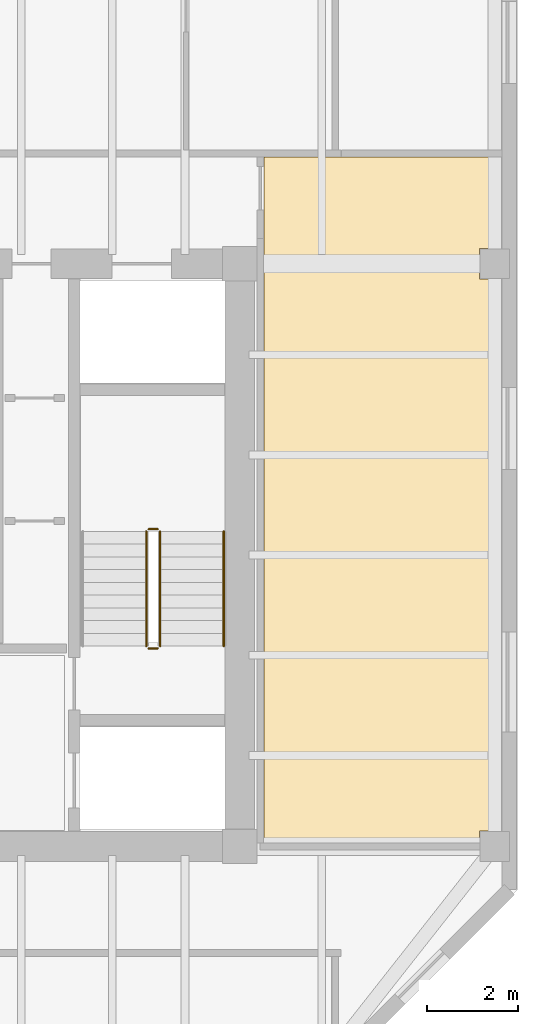
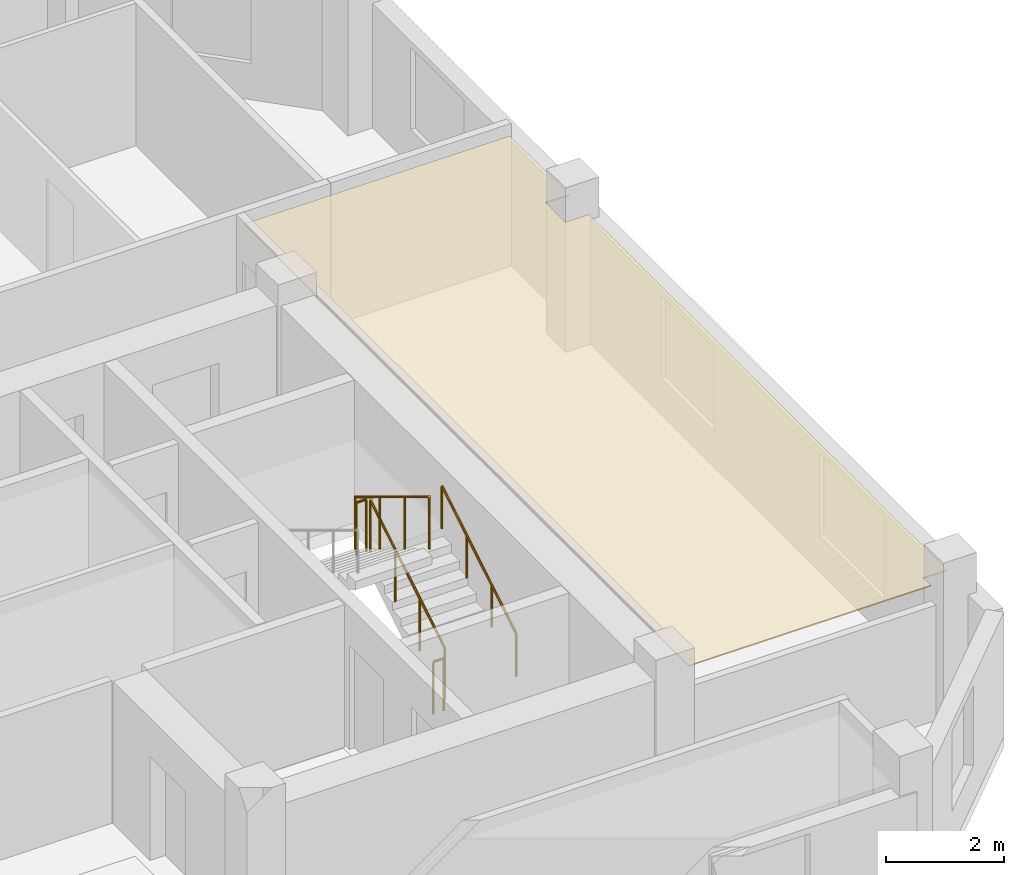
# One storey, part 9 of 10: 5 railings, 1 covering.
"""IFC4 building model written with IfcOpenShell, lengths in metres."""

from ifc_helpers import new_model, si_unit, direction, frame, origin, origin_2d, place, context, subcontext, project, spatial, polyline, circle, outline, extrude, material, layer, layer_set, type_object, element, save


model = new_model("IFC4")

# Units and contexts
model_context = context("Model", 3, precision=1e-05, world=origin(), true_north=direction((0.0, 1.0)))
body_context = subcontext(model_context, "Body", "Model", "MODEL_VIEW")
ifc_project = project(units=[si_unit("LENGTHUNIT", "METRE"), si_unit("AREAUNIT", "SQUARE_METRE"), si_unit("VOLUMEUNIT", "CUBIC_METRE"), si_unit("PLANEANGLEUNIT", "RADIAN"), si_unit("MASSUNIT", "GRAM", prefix="KILO")], contexts=[model_context])

# Site, building, storey
site_placement = place(None, origin())
site = spatial("IfcSite", under=ifc_project, at=site_placement, CompositionType="ELEMENT")
building_placement = place(site_placement, origin())
building = spatial("IfcBuilding", under=site, at=building_placement, Name="Kranthara Brick Stack", CompositionType="ELEMENT")
storey_placement = place(building_placement, frame((0.0, 0.0, 278.89990234375)))
storey = spatial("IfcBuildingStorey", under=building, at=storey_placement, Name="L74", CompositionType="ELEMENT", Elevation=278.89990234375)

# Covering
ifc_material_1 = material(Name="Perforated mineral-fibre acoustic ceiling tile", Category="other")
ifc_layer = layer(ifc_material_1, 0.02490234375)
ifc_layer_set = layer_set([ifc_layer], Name="Perforated mineral-fibre acoustic ceiling tile")
covering_type = type_object("IfcCoveringType", Name="COV-CEIL-ACOUSTIC", PredefinedType="CEILING", material=ifc_layer_set)
covering_placement = place(storey_placement, frame((0.0, 0.0, 2.68017578125)))
element("IfcCovering", 1, at=covering_placement, inside=storey, type_object=covering_type, Name="L74 L74 East Panoramic Sky Conservatory Acoustic Ceiling", PredefinedType="CEILING", context=body_context, shape_type="SweptSolid", body=[
    extrude(outline(polyline([(43.72998046875, 35.93994140625), (48.929931640625, 35.93994140625), (48.929931640625, 33.93505859375), (48.465087890625, 33.93505859375), (48.465087890625, 33.264892578125), (48.929931640625, 33.264892578125), (48.929931640625, 21.135009765625), (48.465087890625, 21.135009765625), (48.465087890625, 20.8798828125), (43.72998046875, 20.8798828125), (43.72998046875, 35.93994140625)])), origin(), (0.0, 0.0, 1.0), 0.02490234375),
])

# Railings
ifc_material_2 = material(Name="Painted galvanized steel stair guardrail", Category="steel")
railing_type_1 = type_object("IfcRailingType", Name="RL-STAIR-GUARD-1100", PredefinedType="GUARDRAIL", material=ifc_material_2)
railing_1_placement = place(storey_placement, frame((41.449951171875, 25.199951171875, 0.170166015625)))
element("IfcRailing", 2, at=railing_1_placement, inside=storey, type_object=railing_type_1, Name="L74 ST02 stair guard 1", PredefinedType="GUARDRAIL", context=body_context, shape_type="SweptSolid", body=[
    extrude(circle(Radius=0.02392578125, at=origin_2d()), frame((0.0, 0.0, 1.076171875), z_axis=(0.0, 0.85478489116, 0.518982456201), x_axis=(-1.0, 0.0, 0.0)), (0.0, 0.0, 1.0), 2.9482421875),
    extrude(circle(Radius=0.02099609375, at=origin_2d()), origin(), (0.0, 0.0, 1.0), 1.052001953125),
    extrude(circle(Radius=0.02099609375, at=origin_2d()), frame((0.0, 0.840087890625, 0.510009765625)), (0.0, 0.0, 1.0), 1.052001953125),
    extrude(circle(Radius=0.02099609375, at=origin_2d()), frame((0.0, 1.679931640625, 1.02001953125)), (0.0, 0.0, 1.0), 1.052001953125),
    extrude(circle(Radius=0.02099609375, at=origin_2d()), frame((0.0, 2.52001953125, 1.530029296875)), (0.0, 0.0, 1.0), 1.052001953125),
])
railing_2_placement = place(storey_placement, frame((41.39990234375, 27.77001953125, 1.7001953125)))
element("IfcRailing", 3, at=railing_2_placement, inside=storey, type_object=railing_type_1, Name="L74 ST02 stair guard 2", PredefinedType="GUARDRAIL", context=body_context, shape_type="SweptSolid", body=[
    extrude(circle(Radius=0.02392578125, at=origin_2d()), frame((0.0, 0.0, 1.076171875), z_axis=(-1.0, 0.0, 0.0), x_axis=(0.0, -1.0, 0.0)), (0.0, 0.0, 1.0), 0.199951171875),
    extrude(circle(Radius=0.02099609375, at=origin_2d()), origin(), (0.0, 0.0, 1.0), 1.052001953125),
    extrude(circle(Radius=0.02099609375, at=origin_2d()), frame((-0.199951171875, 0.0, 0.0)), (0.0, 0.0, 1.0), 1.052001953125),
])
railing_3_placement = place(storey_placement, frame((41.14990234375, 27.719970703125, 1.8701171875)))
element("IfcRailing", 4, at=railing_3_placement, inside=storey, type_object=railing_type_1, Name="L74 ST02 stair guard 3", PredefinedType="GUARDRAIL", context=body_context, shape_type="SweptSolid", body=[
    extrude(circle(Radius=0.02392578125, at=origin_2d()), frame((0.0, 0.0, 1.076171875), z_axis=(0.0, -0.85478489116, 0.518982456201), x_axis=(1.0, 0.0, 0.0)), (0.0, 0.0, 1.0), 2.9482421875),
    extrude(circle(Radius=0.02099609375, at=origin_2d()), origin(), (0.0, 0.0, 1.0), 1.052001953125),
    extrude(circle(Radius=0.02099609375, at=origin_2d()), frame((0.0, -0.840087890625, 0.510009765625)), (0.0, 0.0, 1.0), 1.052001953125),
    extrude(circle(Radius=0.02099609375, at=origin_2d()), frame((0.0, -1.679931640625, 1.02001953125)), (0.0, 0.0, 1.0), 1.052001953125),
    extrude(circle(Radius=0.02099609375, at=origin_2d()), frame((0.0, -2.52001953125, 1.530029296875)), (0.0, 0.0, 1.0), 1.052001953125),
])
railing_4_placement = place(storey_placement, frame((41.39990234375, 25.14990234375, 0.0)))
element("IfcRailing", 5, at=railing_4_placement, inside=storey, type_object=railing_type_1, Name="L74 ST02 stair guard 4", PredefinedType="GUARDRAIL", context=body_context, shape_type="SweptSolid", body=[
    extrude(circle(Radius=0.02392578125, at=origin_2d()), frame((0.0, 0.0, 1.076171875), z_axis=(-1.0, 0.0, 0.0), x_axis=(0.0, -1.0, 0.0)), (0.0, 0.0, 1.0), 0.199951171875),
    extrude(circle(Radius=0.02099609375, at=origin_2d()), origin(), (0.0, 0.0, 1.0), 1.052001953125),
    extrude(circle(Radius=0.02099609375, at=origin_2d()), frame((-0.199951171875, 0.0, 0.0)), (0.0, 0.0, 1.0), 1.052001953125),
])
ifc_material_3 = material(Name="Brushed stainless steel tubular handrail", Category="steel")
railing_type_2 = type_object("IfcRailingType", Name="RL-STAIR-HAND-900", PredefinedType="HANDRAIL", material=ifc_material_3)
railing_5_placement = place(storey_placement, frame((42.85009765625, 25.199951171875, 0.170166015625)))
element("IfcRailing", 6, at=railing_5_placement, inside=storey, type_object=railing_type_2, Name="L74 ST02 stair handrail 1", PredefinedType="HANDRAIL", context=body_context, shape_type="SweptSolid", body=[
    extrude(circle(Radius=0.02392578125, at=origin_2d()), frame((0.0, 0.0, 0.8759765625), z_axis=(0.0, 0.85478489116, 0.518982456201), x_axis=(-1.0, 0.0, 0.0)), (0.0, 0.0, 1.0), 2.9482421875),
    extrude(circle(Radius=0.02099609375, at=origin_2d()), origin(), (0.0, 0.0, 1.0), 0.851806640625),
    extrude(circle(Radius=0.02099609375, at=origin_2d()), frame((0.0, 0.840087890625, 0.510009765625)), (0.0, 0.0, 1.0), 0.851806640625),
    extrude(circle(Radius=0.02099609375, at=origin_2d()), frame((0.0, 1.679931640625, 1.02001953125)), (0.0, 0.0, 1.0), 0.851806640625),
    extrude(circle(Radius=0.02099609375, at=origin_2d()), frame((0.0, 2.52001953125, 1.530029296875)), (0.0, 0.0, 1.0), 0.851806640625),
])

save(model, "model.ifc")
